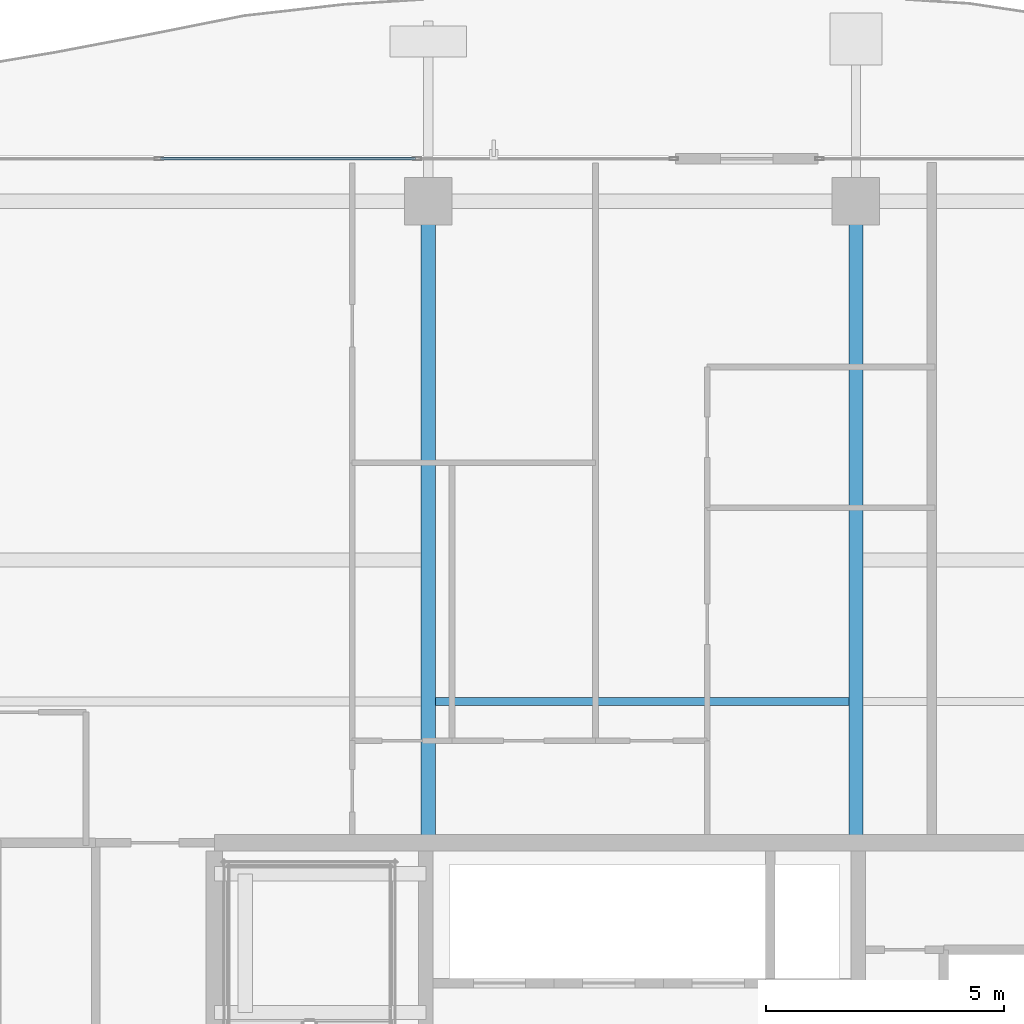
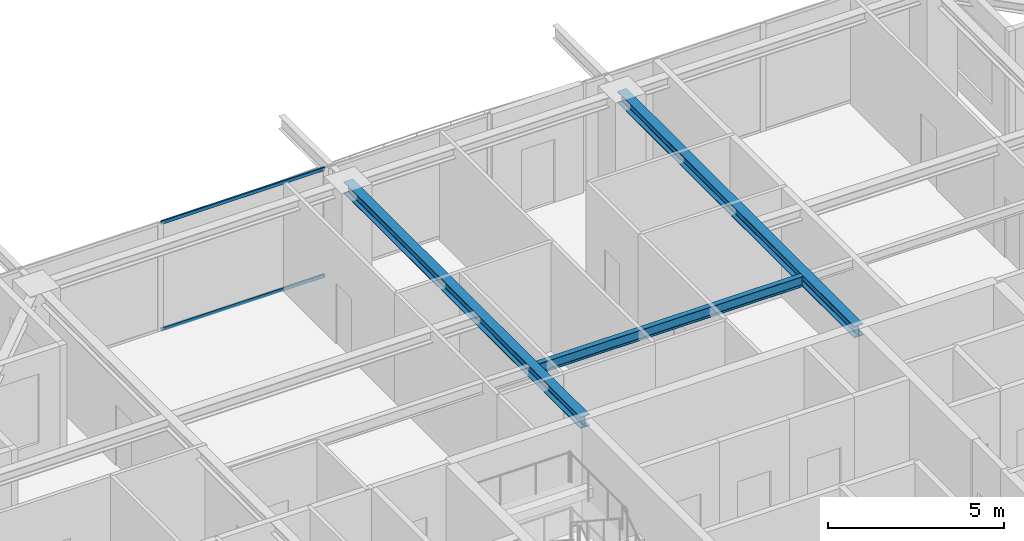
# One storey, part 22 of 40: 3 beams, 2 members, 1 element without a shape of its own.
"""IFC4 building model written with IfcOpenShell, lengths in metres."""

from ifc_helpers import new_model, si_unit, direction, frame, origin, origin_2d, place, context, subcontext, project, spatial, hollow_rectangle, i_section, extrude, source, transform, mapped, material, layer, layer_set, material_profile, profile_set, type_object, element, aggregate, save


model = new_model("IFC4")

# Units and contexts
model_context = context("Model", 3, precision=1e-05, world=origin(), true_north=direction((0.0, 1.0)))
body_context = subcontext(model_context, "Body", "Model", "MODEL_VIEW")
ifc_project = project(units=[si_unit("LENGTHUNIT", "METRE"), si_unit("AREAUNIT", "SQUARE_METRE"), si_unit("VOLUMEUNIT", "CUBIC_METRE"), si_unit("PLANEANGLEUNIT", "RADIAN"), si_unit("MASSUNIT", "GRAM", prefix="KILO")], contexts=[model_context])

# Site, building, storey
site_placement = place(None, origin())
site = spatial("IfcSite", under=ifc_project, at=site_placement, CompositionType="ELEMENT")
building_placement = place(site_placement, origin())
building = spatial("IfcBuilding", under=site, at=building_placement, Name="Serunith Strait Residences", CompositionType="ELEMENT")
storey_placement = place(building_placement, frame((0.0, 0.0, 313.699951171875)))
storey = spatial("IfcBuildingStorey", under=building, at=storey_placement, Name="L78", CompositionType="ELEMENT", Elevation=313.699951171875)

# Beams
ifc_material_1 = material(Name="Steel S355J2", Category="steel")
ifc_material_profile_1 = material_profile(ifc_material_1, i_section(OverallWidth=0.169921875, OverallDepth=0.360107421875, WebThickness=0.008056640625, FlangeThickness=0.0126953125, FilletRadius=0.01806640625, at=origin_2d()), Name="IPE 360")
ifc_profile_set_1 = profile_set([ifc_material_profile_1], Name="Steel S355J2")
beam_type_1 = type_object("IfcBeamType", Name="BM-IPE360", PredefinedType="JOIST", material=ifc_profile_set_1)
shared_shape_1 = source(origin(), body_context, "Body", "SweptSolid", [
    extrude(i_section(OverallWidth=0.169921875, OverallDepth=0.360107421875, WebThickness=0.008056640625, FlangeThickness=0.0126953125, FilletRadius=0.01806640625, at=origin_2d()), origin(), (0.0, 0.0, 1.0), 8.699951171875),
])
beam_placement = place(storey_placement, frame((28.050048828125, 36.574951171875, 3.60693359375), z_axis=(1.0, 0.0, 0.0), x_axis=(0.0, 1.0, 0.0)))
element("IfcBeam", 1, at=beam_placement, inside=storey, type_object=beam_type_1, Name="L78 Composite Floor Joist 05", PredefinedType="JOIST", context=body_context, shape_type="MappedRepresentation", body=[
    mapped(shared_shape_1, transform((0.0, 0.0, 0.0), scale=1.0)),
])
ifc_material_profile_2 = material_profile(ifc_material_1, i_section(OverallWidth=0.300048828125, OverallDepth=0.39990234375, WebThickness=0.013427734375, FlangeThickness=0.02392578125, FilletRadius=0.027099609375, at=origin_2d()), Name="HEB 400")
ifc_profile_set_2 = profile_set([ifc_material_profile_2], Name="Steel S355J2")
beam_type_2 = type_object("IfcBeamType", Name="BM-HEB400", PredefinedType="BEAM", material=ifc_profile_set_2)
shared_shape_2 = source(origin(), body_context, "Body", "SweptSolid", [
    extrude(i_section(OverallWidth=0.300048828125, OverallDepth=0.39990234375, WebThickness=0.013427734375, FlangeThickness=0.02392578125, FilletRadius=0.027099609375, at=origin_2d()), origin(), (0.0, 0.0, 1.0), 13.5),
])
for number, where, z_axis, x_axis, name in (
    (2, (27.89990234375, 33.60009765625, 3.587158203125), (0.0, 1.0, 0.0), (-1.0, 0.0, 0.0), "L78 Primary Floor Girder TC-N2"),
    (3, (36.89990234375, 33.60009765625, 3.587158203125), (0.0, 1.0, 0.0), (-1.0, 0.0, 0.0), "L78 Primary Floor Girder TC-N3"),
):
    element("IfcBeam", number, at=place(storey_placement, frame(where, z_axis=z_axis, x_axis=x_axis)), inside=storey, type_object=beam_type_2, Name=name, PredefinedType="BEAM", context=body_context, shape_type="MappedRepresentation", body=[
        mapped(shared_shape_2, transform((0.0, 0.0, 0.0), scale=1.0)),
    ])

# Curtain wall, members
ifc_material_2 = material(Name="Brushed Stainless-Silver Aluminium", Category="aluminium")
ifc_layer = layer(ifc_material_2, 0.199951171875, Name="Brushed Stainless-Silver Aluminium")
ifc_layer_set = layer_set([ifc_layer], Name="Brushed Stainless-Silver Aluminium")
curtain_wall_type = type_object("IfcCurtainWallType", Name="CW-SYS5", PredefinedType="NOTDEFINED", material=ifc_layer_set)
curtain_wall_placement = place(storey_placement, origin())
curtain_wall = element("IfcCurtainWall", 4, at=curtain_wall_placement, inside=storey, type_object=curtain_wall_type, Name="L78 N Unitised Fritted Curtain Wall", PredefinedType="NOTDEFINED")
ifc_material_profile_3 = material_profile(ifc_material_2, hollow_rectangle(XDim=0.06005859375, YDim=0.1201171875, WallThickness=0.00341796875, InnerFilletRadius=0.00537109375, OuterFilletRadius=0.0087890625, at=origin_2d()), Name="ALU 120x60x3.5")
ifc_profile_set_3 = profile_set([ifc_material_profile_3], Name="Brushed Stainless-Silver Aluminium")
member_type = type_object("IfcMemberType", Name="CW-SYS5-TRAN", PredefinedType="USERDEFINED", material=ifc_profile_set_3)
shared_shape_3 = source(origin(), body_context, "Body", "SweptSolid", [
    extrude(hollow_rectangle(XDim=0.06005859375, YDim=0.1201171875, WallThickness=0.00341796875, InnerFilletRadius=0.00537109375, OuterFilletRadius=0.0087890625, at=origin_2d()), origin(), (0.0, 0.0, 1.0), 5.368408203125),
])
member_1_placement = place(storey_placement, frame((27.63427734375, 48.0, 0.030029296875), z_axis=(-1.0, 0.0, 0.0), x_axis=(0.0, -1.0, 0.0)))
member_1 = element("IfcMember", 5, at=member_1_placement, type_object=member_type, Name="CW-5 transom 2.1", ObjectType="TRANSOM", PredefinedType="USERDEFINED", context=body_context, shape_type="MappedRepresentation", body=[
    mapped(shared_shape_3, transform((0.0, 0.0, 0.0), scale=1.0)),
])
member_2_placement = place(storey_placement, frame((27.63427734375, 48.0, 3.7451171875), z_axis=(-1.0, 0.0, 0.0), x_axis=(0.0, -1.0, 0.0)))
member_2 = element("IfcMember", 6, at=member_2_placement, type_object=member_type, Name="CW-5 transom 2.2", ObjectType="TRANSOM", PredefinedType="USERDEFINED", context=body_context, shape_type="MappedRepresentation", body=[
    mapped(shared_shape_3, transform((0.0, 0.0, 0.0), scale=1.0)),
])
aggregate(curtain_wall, [member_1, member_2])

save(model, "model.ifc")
